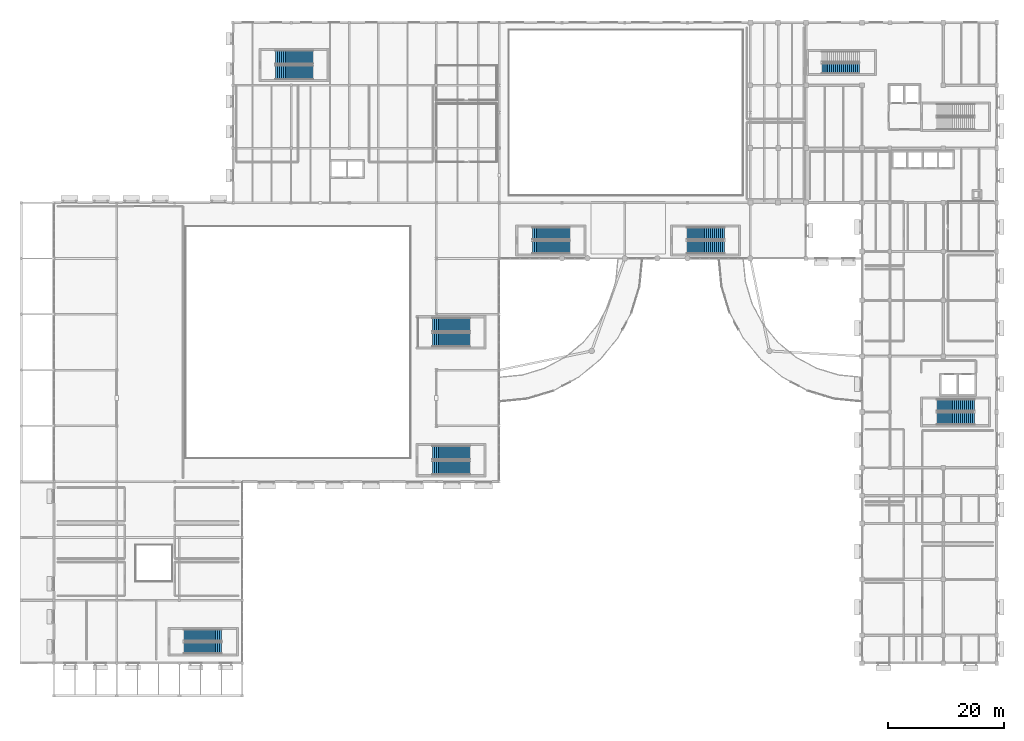
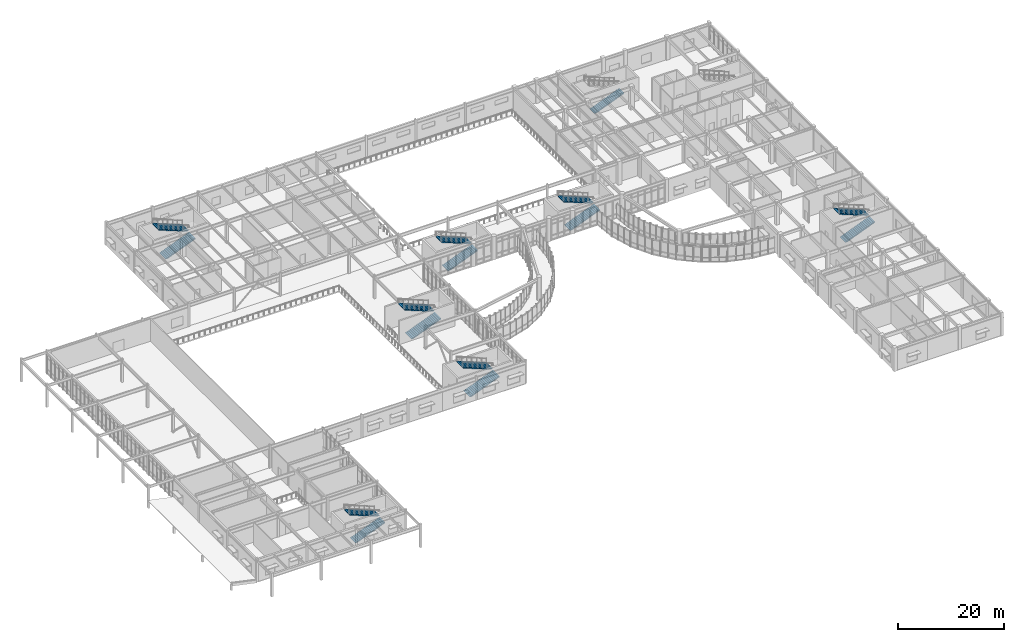
# One storey, part 56 of 72: 15 stair flights, 8 elements without a shape of their own.
"""IFC4 building model written with IfcOpenShell, lengths in metres."""

from ifc_helpers import new_model, si_unit, direction, frame, origin, place, context, subcontext, project, spatial, polyline, outline, extrude, material, type_object, element, aggregate, save


model = new_model("IFC4")

# Units and contexts
model_context = context("Model", 3, precision=1e-05, world=origin(), true_north=direction((0.0, 1.0)))
body_context = subcontext(model_context, "Body", "Model", "MODEL_VIEW")
ifc_project = project(units=[si_unit("LENGTHUNIT", "METRE"), si_unit("AREAUNIT", "SQUARE_METRE"), si_unit("VOLUMEUNIT", "CUBIC_METRE"), si_unit("PLANEANGLEUNIT", "RADIAN"), si_unit("MASSUNIT", "GRAM", prefix="KILO")], contexts=[model_context])

# Site, building, storey
site_placement = place(None, origin())
site = spatial("IfcSite", under=ifc_project, at=site_placement, CompositionType="ELEMENT")
building_placement = place(site_placement, origin())
building = spatial("IfcBuilding", under=site, at=building_placement, Name="Veldera Park Congress Hotel", CompositionType="ELEMENT")
storey_placement = place(building_placement, frame((0.0, 0.0, 5.39990234375)))
storey = spatial("IfcBuildingStorey", under=building, at=storey_placement, Name="L01", CompositionType="ELEMENT", Elevation=5.39990234375)

# Stair, stair flights
ifc_material = material(Name="Concrete f'c 40 MPa (5,800 psi)", Category="concrete")
stair_type_1 = type_object("IfcStairType", Name="ST2", PredefinedType="HALF_TURN_STAIR", material=ifc_material)
stair_1_placement = place(storey_placement, origin())
stair_1 = element("IfcStair", 1, at=stair_1_placement, inside=storey, type_object=stair_type_1, Name="L01 Protected Exit Stair ST2", PredefinedType="HALF_TURN_STAIR")
stair_flight_type_1 = type_object("IfcStairFlightType", Name="SFL-ST2", PredefinedType="STRAIGHT", material=ifc_material)
stair_flight_1_placement = place(storey_placement, frame((73.699951171875, -10.14990234375, 0.0), z_axis=(0.0, 0.0, 1.0), x_axis=(1.0, 0.0, 0.0)))
stair_flight_1 = element("IfcStairFlight", 2, at=stair_flight_1_placement, type_object=stair_flight_type_1, Name="ST2 flight 1", NumberOfRisers=20, NumberOfTreads=19, PredefinedType="STRAIGHT", RiserHeight=0.135, TreadLength=0.34, context=body_context, shape_type="SweptSolid", body=[
    extrude(outline(polyline([(0.0, 0.0), (0.0, 0.135009765625), (0.340087890625, 0.135009765625), (0.340087890625, 0.27001953125), (0.679931640625, 0.27001953125), (0.679931640625, 0.405029296875), (1.02001953125, 0.405029296875), (1.02001953125, 0.5400390625), (1.360107421875, 0.5400390625), (1.360107421875, 0.675048828125), (1.699951171875, 0.675048828125), (1.699951171875, 0.81005859375), (2.0400390625, 0.81005859375), (2.0400390625, 0.945068359375), (2.3798828125, 0.945068359375), (2.3798828125, 1.080078125), (2.719970703125, 1.080078125), (2.719970703125, 1.215087890625), (3.06005859375, 1.215087890625), (3.06005859375, 1.35009765625), (3.39990234375, 1.35009765625), (3.39990234375, 1.485107421875), (3.739990234375, 1.485107421875), (3.739990234375, 1.6201171875), (4.080078125, 1.6201171875), (4.080078125, 1.7548828125), (4.419921875, 1.7548828125), (4.419921875, 1.889892578125), (4.760009765625, 1.889892578125), (4.760009765625, 2.02490234375), (5.10009765625, 2.02490234375), (5.10009765625, 2.159912109375), (5.43994140625, 2.159912109375), (5.43994140625, 2.294921875), (5.780029296875, 2.294921875), (5.780029296875, 2.429931640625), (6.1201171875, 2.429931640625), (6.1201171875, 2.56494140625), (6.4599609375, 2.56494140625), (6.4599609375, 2.699951171875), (6.4599609375, 2.699951171875), (6.4599609375, 2.371337890625), (0.487548828125, 0.0), (0.0, 0.0)])), frame((0.0, 1.050048828125, 0.0), z_axis=(0.0, -1.0, 0.0), x_axis=(1.0, 0.0, 0.0)), (0.0, 0.0, 1.0), 2.10009765625),
])
stair_flight_2_placement = place(storey_placement, frame((80.159912109375, -7.85009765625, 2.7001953125), z_axis=(0.0, 0.0, 1.0), x_axis=(-1.0, 0.0, 0.0)))
stair_flight_2 = element("IfcStairFlight", 3, at=stair_flight_2_placement, type_object=stair_flight_type_1, Name="ST2 flight 2", NumberOfRisers=20, NumberOfTreads=19, PredefinedType="STRAIGHT", RiserHeight=0.135, TreadLength=0.34, context=body_context, shape_type="SweptSolid", body=[
    extrude(outline(polyline([(0.0, 0.0), (0.0, 0.135009765625), (0.340087890625, 0.135009765625), (0.340087890625, 0.27001953125), (0.679931640625, 0.27001953125), (0.679931640625, 0.405029296875), (1.02001953125, 0.405029296875), (1.02001953125, 0.5400390625), (1.360107421875, 0.5400390625), (1.360107421875, 0.675048828125), (1.699951171875, 0.675048828125), (1.699951171875, 0.81005859375), (2.0400390625, 0.81005859375), (2.0400390625, 0.945068359375), (2.3798828125, 0.945068359375), (2.3798828125, 1.080078125), (2.719970703125, 1.080078125), (2.719970703125, 1.215087890625), (3.06005859375, 1.215087890625), (3.06005859375, 1.35009765625), (3.39990234375, 1.35009765625), (3.39990234375, 1.485107421875), (3.739990234375, 1.485107421875), (3.739990234375, 1.6201171875), (4.080078125, 1.6201171875), (4.080078125, 1.7548828125), (4.419921875, 1.7548828125), (4.419921875, 1.889892578125), (4.760009765625, 1.889892578125), (4.760009765625, 2.02490234375), (5.10009765625, 2.02490234375), (5.10009765625, 2.159912109375), (5.43994140625, 2.159912109375), (5.43994140625, 2.294921875), (5.780029296875, 2.294921875), (5.780029296875, 2.429931640625), (6.1201171875, 2.429931640625), (6.1201171875, 2.56494140625), (6.4599609375, 2.56494140625), (6.4599609375, 2.699951171875), (6.4599609375, 2.699951171875), (6.4599609375, 2.371337890625), (0.487548828125, 0.0), (0.0, 0.0)])), frame((0.0, 1.050048828125, 0.0), z_axis=(0.0, -1.0, 0.0), x_axis=(1.0, 0.0, 0.0)), (0.0, 0.0, 1.0), 2.10009765625),
])
aggregate(stair_1, [stair_flight_1, stair_flight_2])

# Stair, stair flight
stair_type_2 = type_object("IfcStairType", Name="ST3", PredefinedType="HALF_TURN_STAIR", material=ifc_material)
stair_2_placement = place(storey_placement, origin())
stair_2 = element("IfcStair", 4, at=stair_2_placement, inside=storey, type_object=stair_type_2, Name="L01 Protected Exit Stair ST3", PredefinedType="HALF_TURN_STAIR")
stair_flight_type_2 = type_object("IfcStairFlightType", Name="SFL-ST3", PredefinedType="STRAIGHT", material=ifc_material)
stair_flight_3_placement = place(storey_placement, frame((53.89990234375, 50.10009765625, 0.0), z_axis=(0.0, 0.0, 1.0), x_axis=(1.0, 0.0, 0.0)))
stair_flight_3 = element("IfcStairFlight", 5, at=stair_flight_3_placement, type_object=stair_flight_type_2, Name="ST3 flight 1", NumberOfRisers=20, NumberOfTreads=19, PredefinedType="STRAIGHT", RiserHeight=0.135, TreadLength=0.34, context=body_context, shape_type="SweptSolid", body=[
    extrude(outline(polyline([(0.0, 0.0), (0.0, 0.135009765625), (0.340087890625, 0.135009765625), (0.340087890625, 0.27001953125), (0.679931640625, 0.27001953125), (0.679931640625, 0.405029296875), (1.02001953125, 0.405029296875), (1.02001953125, 0.5400390625), (1.360107421875, 0.5400390625), (1.360107421875, 0.675048828125), (1.699951171875, 0.675048828125), (1.699951171875, 0.81005859375), (2.0400390625, 0.81005859375), (2.0400390625, 0.945068359375), (2.3798828125, 0.945068359375), (2.3798828125, 1.080078125), (2.719970703125, 1.080078125), (2.719970703125, 1.215087890625), (3.06005859375, 1.215087890625), (3.06005859375, 1.35009765625), (3.39990234375, 1.35009765625), (3.39990234375, 1.485107421875), (3.739990234375, 1.485107421875), (3.739990234375, 1.6201171875), (4.080078125, 1.6201171875), (4.080078125, 1.7548828125), (4.419921875, 1.7548828125), (4.419921875, 1.889892578125), (4.760009765625, 1.889892578125), (4.760009765625, 2.02490234375), (5.10009765625, 2.02490234375), (5.10009765625, 2.159912109375), (5.43994140625, 2.159912109375), (5.43994140625, 2.294921875), (5.780029296875, 2.294921875), (5.780029296875, 2.429931640625), (6.1201171875, 2.429931640625), (6.1201171875, 2.56494140625), (6.4599609375, 2.56494140625), (6.4599609375, 2.699951171875), (6.4599609375, 2.699951171875), (6.4599609375, 2.371337890625), (0.487548828125, 0.0), (0.0, 0.0)])), frame((0.0, 0.89990234375, 0.0), z_axis=(0.0, -1.0, 0.0), x_axis=(1.0, 0.0, 0.0)), (0.0, 0.0, 1.0), 1.800048828125),
])
aggregate(stair_2, [stair_flight_3])

# Stair, stair flights
stair_type_3 = type_object("IfcStairType", Name="ST4", PredefinedType="HALF_TURN_STAIR", material=ifc_material)
stair_3_placement = place(storey_placement, origin())
stair_3 = element("IfcStair", 6, at=stair_3_placement, inside=storey, type_object=stair_type_3, Name="L01 Protected Exit Stair ST4", PredefinedType="HALF_TURN_STAIR")
stair_flight_type_3 = type_object("IfcStairFlightType", Name="SFL-ST4", PredefinedType="STRAIGHT", material=ifc_material)
stair_flight_4_placement = place(storey_placement, frame((-40.10009765625, 49.39990234375, 0.0), z_axis=(0.0, 0.0, 1.0), x_axis=(1.0, 0.0, 0.0)))
stair_flight_4 = element("IfcStairFlight", 7, at=stair_flight_4_placement, type_object=stair_flight_type_3, Name="ST4 flight 1", NumberOfRisers=20, NumberOfTreads=19, PredefinedType="STRAIGHT", RiserHeight=0.135, TreadLength=0.34, context=body_context, shape_type="SweptSolid", body=[
    extrude(outline(polyline([(0.0, 0.0), (0.0, 0.135009765625), (0.340087890625, 0.135009765625), (0.340087890625, 0.27001953125), (0.679931640625, 0.27001953125), (0.679931640625, 0.405029296875), (1.02001953125, 0.405029296875), (1.02001953125, 0.5400390625), (1.360107421875, 0.5400390625), (1.360107421875, 0.675048828125), (1.699951171875, 0.675048828125), (1.699951171875, 0.81005859375), (2.0400390625, 0.81005859375), (2.0400390625, 0.945068359375), (2.3798828125, 0.945068359375), (2.3798828125, 1.080078125), (2.719970703125, 1.080078125), (2.719970703125, 1.215087890625), (3.06005859375, 1.215087890625), (3.06005859375, 1.35009765625), (3.39990234375, 1.35009765625), (3.39990234375, 1.485107421875), (3.739990234375, 1.485107421875), (3.739990234375, 1.6201171875), (4.080078125, 1.6201171875), (4.080078125, 1.7548828125), (4.419921875, 1.7548828125), (4.419921875, 1.889892578125), (4.760009765625, 1.889892578125), (4.760009765625, 2.02490234375), (5.10009765625, 2.02490234375), (5.10009765625, 2.159912109375), (5.43994140625, 2.159912109375), (5.43994140625, 2.294921875), (5.780029296875, 2.294921875), (5.780029296875, 2.429931640625), (6.1201171875, 2.429931640625), (6.1201171875, 2.56494140625), (6.4599609375, 2.56494140625), (6.4599609375, 2.699951171875), (6.4599609375, 2.699951171875), (6.4599609375, 2.371337890625), (0.487548828125, 0.0), (0.0, 0.0)])), frame((0.0, 1.199951171875, 0.0), z_axis=(0.0, -1.0, 0.0), x_axis=(1.0, 0.0, 0.0)), (0.0, 0.0, 1.0), 2.39990234375),
])
stair_flight_5_placement = place(storey_placement, frame((-33.639892578125, 52.0, 2.7001953125), z_axis=(0.0, 0.0, 1.0), x_axis=(-1.0, 0.0, 0.0)))
stair_flight_5 = element("IfcStairFlight", 8, at=stair_flight_5_placement, type_object=stair_flight_type_3, Name="ST4 flight 2", NumberOfRisers=20, NumberOfTreads=19, PredefinedType="STRAIGHT", RiserHeight=0.135, TreadLength=0.34, context=body_context, shape_type="SweptSolid", body=[
    extrude(outline(polyline([(0.0, 0.0), (0.0, 0.135009765625), (0.340087890625, 0.135009765625), (0.340087890625, 0.27001953125), (0.679931640625, 0.27001953125), (0.679931640625, 0.405029296875), (1.02001953125, 0.405029296875), (1.02001953125, 0.5400390625), (1.360107421875, 0.5400390625), (1.360107421875, 0.675048828125), (1.699951171875, 0.675048828125), (1.699951171875, 0.81005859375), (2.0400390625, 0.81005859375), (2.0400390625, 0.945068359375), (2.3798828125, 0.945068359375), (2.3798828125, 1.080078125), (2.719970703125, 1.080078125), (2.719970703125, 1.215087890625), (3.06005859375, 1.215087890625), (3.06005859375, 1.35009765625), (3.39990234375, 1.35009765625), (3.39990234375, 1.485107421875), (3.739990234375, 1.485107421875), (3.739990234375, 1.6201171875), (4.080078125, 1.6201171875), (4.080078125, 1.7548828125), (4.419921875, 1.7548828125), (4.419921875, 1.889892578125), (4.760009765625, 1.889892578125), (4.760009765625, 2.02490234375), (5.10009765625, 2.02490234375), (5.10009765625, 2.159912109375), (5.43994140625, 2.159912109375), (5.43994140625, 2.294921875), (5.780029296875, 2.294921875), (5.780029296875, 2.429931640625), (6.1201171875, 2.429931640625), (6.1201171875, 2.56494140625), (6.4599609375, 2.56494140625), (6.4599609375, 2.699951171875), (6.4599609375, 2.699951171875), (6.4599609375, 2.371337890625), (0.487548828125, 0.0), (0.0, 0.0)])), frame((0.0, 1.199951171875, 0.0), z_axis=(0.0, -1.0, 0.0), x_axis=(1.0, 0.0, 0.0)), (0.0, 0.0, 1.0), 2.39990234375),
])
aggregate(stair_3, [stair_flight_4, stair_flight_5])

stair_type_4 = type_object("IfcStairType", Name="ST5", PredefinedType="HALF_TURN_STAIR", material=ifc_material)
stair_4_placement = place(storey_placement, origin())
stair_4 = element("IfcStair", 9, at=stair_4_placement, inside=storey, type_object=stair_type_4, Name="L01 Protected Exit Stair ST5", PredefinedType="HALF_TURN_STAIR")
stair_flight_type_4 = type_object("IfcStairFlightType", Name="SFL-ST5", PredefinedType="STRAIGHT", material=ifc_material)
stair_flight_6_placement = place(storey_placement, frame((-13.10009765625, -18.60009765625, 0.0), z_axis=(0.0, 0.0, 1.0), x_axis=(1.0, 0.0, 0.0)))
stair_flight_6 = element("IfcStairFlight", 10, at=stair_flight_6_placement, type_object=stair_flight_type_4, Name="ST5 flight 1", NumberOfRisers=20, NumberOfTreads=19, PredefinedType="STRAIGHT", RiserHeight=0.135, TreadLength=0.34, context=body_context, shape_type="SweptSolid", body=[
    extrude(outline(polyline([(0.0, 0.0), (0.0, 0.135009765625), (0.340087890625, 0.135009765625), (0.340087890625, 0.27001953125), (0.679931640625, 0.27001953125), (0.679931640625, 0.405029296875), (1.02001953125, 0.405029296875), (1.02001953125, 0.5400390625), (1.360107421875, 0.5400390625), (1.360107421875, 0.675048828125), (1.699951171875, 0.675048828125), (1.699951171875, 0.81005859375), (2.0400390625, 0.81005859375), (2.0400390625, 0.945068359375), (2.3798828125, 0.945068359375), (2.3798828125, 1.080078125), (2.719970703125, 1.080078125), (2.719970703125, 1.215087890625), (3.06005859375, 1.215087890625), (3.06005859375, 1.35009765625), (3.39990234375, 1.35009765625), (3.39990234375, 1.485107421875), (3.739990234375, 1.485107421875), (3.739990234375, 1.6201171875), (4.080078125, 1.6201171875), (4.080078125, 1.7548828125), (4.419921875, 1.7548828125), (4.419921875, 1.889892578125), (4.760009765625, 1.889892578125), (4.760009765625, 2.02490234375), (5.10009765625, 2.02490234375), (5.10009765625, 2.159912109375), (5.43994140625, 2.159912109375), (5.43994140625, 2.294921875), (5.780029296875, 2.294921875), (5.780029296875, 2.429931640625), (6.1201171875, 2.429931640625), (6.1201171875, 2.56494140625), (6.4599609375, 2.56494140625), (6.4599609375, 2.699951171875), (6.4599609375, 2.699951171875), (6.4599609375, 2.371337890625), (0.487548828125, 0.0), (0.0, 0.0)])), frame((0.0, 1.199951171875, 0.0), z_axis=(0.0, -1.0, 0.0), x_axis=(1.0, 0.0, 0.0)), (0.0, 0.0, 1.0), 2.39990234375),
])
stair_flight_7_placement = place(storey_placement, frame((-6.639892578125, -16.0, 2.7001953125), z_axis=(0.0, 0.0, 1.0), x_axis=(-1.0, 0.0, 0.0)))
stair_flight_7 = element("IfcStairFlight", 11, at=stair_flight_7_placement, type_object=stair_flight_type_4, Name="ST5 flight 2", NumberOfRisers=20, NumberOfTreads=19, PredefinedType="STRAIGHT", RiserHeight=0.135, TreadLength=0.34, context=body_context, shape_type="SweptSolid", body=[
    extrude(outline(polyline([(0.0, 0.0), (0.0, 0.135009765625), (0.340087890625, 0.135009765625), (0.340087890625, 0.27001953125), (0.679931640625, 0.27001953125), (0.679931640625, 0.405029296875), (1.02001953125, 0.405029296875), (1.02001953125, 0.5400390625), (1.360107421875, 0.5400390625), (1.360107421875, 0.675048828125), (1.699951171875, 0.675048828125), (1.699951171875, 0.81005859375), (2.0400390625, 0.81005859375), (2.0400390625, 0.945068359375), (2.3798828125, 0.945068359375), (2.3798828125, 1.080078125), (2.719970703125, 1.080078125), (2.719970703125, 1.215087890625), (3.06005859375, 1.215087890625), (3.06005859375, 1.35009765625), (3.39990234375, 1.35009765625), (3.39990234375, 1.485107421875), (3.739990234375, 1.485107421875), (3.739990234375, 1.6201171875), (4.080078125, 1.6201171875), (4.080078125, 1.7548828125), (4.419921875, 1.7548828125), (4.419921875, 1.889892578125), (4.760009765625, 1.889892578125), (4.760009765625, 2.02490234375), (5.10009765625, 2.02490234375), (5.10009765625, 2.159912109375), (5.43994140625, 2.159912109375), (5.43994140625, 2.294921875), (5.780029296875, 2.294921875), (5.780029296875, 2.429931640625), (6.1201171875, 2.429931640625), (6.1201171875, 2.56494140625), (6.4599609375, 2.56494140625), (6.4599609375, 2.699951171875), (6.4599609375, 2.699951171875), (6.4599609375, 2.371337890625), (0.487548828125, 0.0), (0.0, 0.0)])), frame((0.0, 1.199951171875, 0.0), z_axis=(0.0, -1.0, 0.0), x_axis=(1.0, 0.0, 0.0)), (0.0, 0.0, 1.0), 2.39990234375),
])
aggregate(stair_4, [stair_flight_6, stair_flight_7])

stair_type_5 = type_object("IfcStairType", Name="ST6", PredefinedType="HALF_TURN_STAIR", material=ifc_material)
stair_5_placement = place(storey_placement, origin())
stair_5 = element("IfcStair", 12, at=stair_5_placement, inside=storey, type_object=stair_type_5, Name="L01 Protected Exit Stair ST6", PredefinedType="HALF_TURN_STAIR")
stair_flight_type_5 = type_object("IfcStairFlightType", Name="SFL-ST6", PredefinedType="STRAIGHT", material=ifc_material)
stair_flight_8_placement = place(storey_placement, frame((4.10009765625, 19.300048828125, 0.0), z_axis=(0.0, 0.0, 1.0), x_axis=(1.0, 0.0, 0.0)))
stair_flight_8 = element("IfcStairFlight", 13, at=stair_flight_8_placement, type_object=stair_flight_type_5, Name="ST6 flight 1", NumberOfRisers=20, NumberOfTreads=19, PredefinedType="STRAIGHT", RiserHeight=0.135, TreadLength=0.34, context=body_context, shape_type="SweptSolid", body=[
    extrude(outline(polyline([(0.0, 0.0), (0.0, 0.135009765625), (0.340087890625, 0.135009765625), (0.340087890625, 0.27001953125), (0.679931640625, 0.27001953125), (0.679931640625, 0.405029296875), (1.02001953125, 0.405029296875), (1.02001953125, 0.5400390625), (1.360107421875, 0.5400390625), (1.360107421875, 0.675048828125), (1.699951171875, 0.675048828125), (1.699951171875, 0.81005859375), (2.0400390625, 0.81005859375), (2.0400390625, 0.945068359375), (2.3798828125, 0.945068359375), (2.3798828125, 1.080078125), (2.719970703125, 1.080078125), (2.719970703125, 1.215087890625), (3.06005859375, 1.215087890625), (3.06005859375, 1.35009765625), (3.39990234375, 1.35009765625), (3.39990234375, 1.485107421875), (3.739990234375, 1.485107421875), (3.739990234375, 1.6201171875), (4.080078125, 1.6201171875), (4.080078125, 1.7548828125), (4.419921875, 1.7548828125), (4.419921875, 1.889892578125), (4.760009765625, 1.889892578125), (4.760009765625, 2.02490234375), (5.10009765625, 2.02490234375), (5.10009765625, 2.159912109375), (5.43994140625, 2.159912109375), (5.43994140625, 2.294921875), (5.780029296875, 2.294921875), (5.780029296875, 2.429931640625), (6.1201171875, 2.429931640625), (6.1201171875, 2.56494140625), (6.4599609375, 2.56494140625), (6.4599609375, 2.699951171875), (6.4599609375, 2.699951171875), (6.4599609375, 2.371337890625), (0.487548828125, 0.0), (0.0, 0.0)])), frame((0.0, 1.10009765625, 0.0), z_axis=(0.0, -1.0, 0.0), x_axis=(1.0, 0.0, 0.0)), (0.0, 0.0, 1.0), 2.199951171875),
])
stair_flight_9_placement = place(storey_placement, frame((10.56005859375, 21.699951171875, 2.7001953125), z_axis=(0.0, 0.0, 1.0), x_axis=(-1.0, 0.0, 0.0)))
stair_flight_9 = element("IfcStairFlight", 14, at=stair_flight_9_placement, type_object=stair_flight_type_5, Name="ST6 flight 2", NumberOfRisers=20, NumberOfTreads=19, PredefinedType="STRAIGHT", RiserHeight=0.135, TreadLength=0.34, context=body_context, shape_type="SweptSolid", body=[
    extrude(outline(polyline([(0.0, 0.0), (0.0, 0.135009765625), (0.340087890625, 0.135009765625), (0.340087890625, 0.27001953125), (0.679931640625, 0.27001953125), (0.679931640625, 0.405029296875), (1.02001953125, 0.405029296875), (1.02001953125, 0.5400390625), (1.360107421875, 0.5400390625), (1.360107421875, 0.675048828125), (1.699951171875, 0.675048828125), (1.699951171875, 0.81005859375), (2.0400390625, 0.81005859375), (2.0400390625, 0.945068359375), (2.3798828125, 0.945068359375), (2.3798828125, 1.080078125), (2.719970703125, 1.080078125), (2.719970703125, 1.215087890625), (3.06005859375, 1.215087890625), (3.06005859375, 1.35009765625), (3.39990234375, 1.35009765625), (3.39990234375, 1.485107421875), (3.739990234375, 1.485107421875), (3.739990234375, 1.6201171875), (4.080078125, 1.6201171875), (4.080078125, 1.7548828125), (4.419921875, 1.7548828125), (4.419921875, 1.889892578125), (4.760009765625, 1.889892578125), (4.760009765625, 2.02490234375), (5.10009765625, 2.02490234375), (5.10009765625, 2.159912109375), (5.43994140625, 2.159912109375), (5.43994140625, 2.294921875), (5.780029296875, 2.294921875), (5.780029296875, 2.429931640625), (6.1201171875, 2.429931640625), (6.1201171875, 2.56494140625), (6.4599609375, 2.56494140625), (6.4599609375, 2.699951171875), (6.4599609375, 2.699951171875), (6.4599609375, 2.371337890625), (0.487548828125, 0.0), (0.0, 0.0)])), frame((0.0, 1.10009765625, 0.0), z_axis=(0.0, -1.0, 0.0), x_axis=(1.0, 0.0, 0.0)), (0.0, 0.0, 1.0), 2.199951171875),
])
aggregate(stair_5, [stair_flight_8, stair_flight_9])

stair_type_6 = type_object("IfcStairType", Name="ST7", PredefinedType="HALF_TURN_STAIR", material=ifc_material)
stair_6_placement = place(storey_placement, origin())
stair_6 = element("IfcStair", 15, at=stair_6_placement, inside=storey, type_object=stair_type_6, Name="L01 Protected Exit Stair ST7", PredefinedType="HALF_TURN_STAIR")
stair_flight_type_6 = type_object("IfcStairFlightType", Name="SFL-ST7", PredefinedType="STRAIGHT", material=ifc_material)
stair_flight_10_placement = place(storey_placement, frame((30.699951171875, 19.300048828125, 0.0), z_axis=(0.0, 0.0, 1.0), x_axis=(1.0, 0.0, 0.0)))
stair_flight_10 = element("IfcStairFlight", 16, at=stair_flight_10_placement, type_object=stair_flight_type_6, Name="ST7 flight 1", NumberOfRisers=20, NumberOfTreads=19, PredefinedType="STRAIGHT", RiserHeight=0.135, TreadLength=0.34, context=body_context, shape_type="SweptSolid", body=[
    extrude(outline(polyline([(0.0, 0.0), (0.0, 0.135009765625), (0.340087890625, 0.135009765625), (0.340087890625, 0.27001953125), (0.679931640625, 0.27001953125), (0.679931640625, 0.405029296875), (1.02001953125, 0.405029296875), (1.02001953125, 0.5400390625), (1.360107421875, 0.5400390625), (1.360107421875, 0.675048828125), (1.699951171875, 0.675048828125), (1.699951171875, 0.81005859375), (2.0400390625, 0.81005859375), (2.0400390625, 0.945068359375), (2.3798828125, 0.945068359375), (2.3798828125, 1.080078125), (2.719970703125, 1.080078125), (2.719970703125, 1.215087890625), (3.06005859375, 1.215087890625), (3.06005859375, 1.35009765625), (3.39990234375, 1.35009765625), (3.39990234375, 1.485107421875), (3.739990234375, 1.485107421875), (3.739990234375, 1.6201171875), (4.080078125, 1.6201171875), (4.080078125, 1.7548828125), (4.419921875, 1.7548828125), (4.419921875, 1.889892578125), (4.760009765625, 1.889892578125), (4.760009765625, 2.02490234375), (5.10009765625, 2.02490234375), (5.10009765625, 2.159912109375), (5.43994140625, 2.159912109375), (5.43994140625, 2.294921875), (5.780029296875, 2.294921875), (5.780029296875, 2.429931640625), (6.1201171875, 2.429931640625), (6.1201171875, 2.56494140625), (6.4599609375, 2.56494140625), (6.4599609375, 2.699951171875), (6.4599609375, 2.699951171875), (6.4599609375, 2.371337890625), (0.487548828125, 0.0), (0.0, 0.0)])), frame((0.0, 1.10009765625, 0.0), z_axis=(0.0, -1.0, 0.0), x_axis=(1.0, 0.0, 0.0)), (0.0, 0.0, 1.0), 2.199951171875),
])
stair_flight_11_placement = place(storey_placement, frame((37.159912109375, 21.699951171875, 2.7001953125), z_axis=(0.0, 0.0, 1.0), x_axis=(-1.0, 0.0, 0.0)))
stair_flight_11 = element("IfcStairFlight", 17, at=stair_flight_11_placement, type_object=stair_flight_type_6, Name="ST7 flight 2", NumberOfRisers=20, NumberOfTreads=19, PredefinedType="STRAIGHT", RiserHeight=0.135, TreadLength=0.34, context=body_context, shape_type="SweptSolid", body=[
    extrude(outline(polyline([(0.0, 0.0), (0.0, 0.135009765625), (0.340087890625, 0.135009765625), (0.340087890625, 0.27001953125), (0.679931640625, 0.27001953125), (0.679931640625, 0.405029296875), (1.02001953125, 0.405029296875), (1.02001953125, 0.5400390625), (1.360107421875, 0.5400390625), (1.360107421875, 0.675048828125), (1.699951171875, 0.675048828125), (1.699951171875, 0.81005859375), (2.0400390625, 0.81005859375), (2.0400390625, 0.945068359375), (2.3798828125, 0.945068359375), (2.3798828125, 1.080078125), (2.719970703125, 1.080078125), (2.719970703125, 1.215087890625), (3.06005859375, 1.215087890625), (3.06005859375, 1.35009765625), (3.39990234375, 1.35009765625), (3.39990234375, 1.485107421875), (3.739990234375, 1.485107421875), (3.739990234375, 1.6201171875), (4.080078125, 1.6201171875), (4.080078125, 1.7548828125), (4.419921875, 1.7548828125), (4.419921875, 1.889892578125), (4.760009765625, 1.889892578125), (4.760009765625, 2.02490234375), (5.10009765625, 2.02490234375), (5.10009765625, 2.159912109375), (5.43994140625, 2.159912109375), (5.43994140625, 2.294921875), (5.780029296875, 2.294921875), (5.780029296875, 2.429931640625), (6.1201171875, 2.429931640625), (6.1201171875, 2.56494140625), (6.4599609375, 2.56494140625), (6.4599609375, 2.699951171875), (6.4599609375, 2.699951171875), (6.4599609375, 2.371337890625), (0.487548828125, 0.0), (0.0, 0.0)])), frame((0.0, 1.10009765625, 0.0), z_axis=(0.0, -1.0, 0.0), x_axis=(1.0, 0.0, 0.0)), (0.0, 0.0, 1.0), 2.199951171875),
])
aggregate(stair_6, [stair_flight_10, stair_flight_11])

stair_type_7 = type_object("IfcStairType", Name="ST8", PredefinedType="HALF_TURN_STAIR", material=ifc_material)
stair_7_placement = place(storey_placement, origin())
stair_7 = element("IfcStair", 18, at=stair_7_placement, inside=storey, type_object=stair_type_7, Name="L01 Protected Exit Stair ST8", PredefinedType="HALF_TURN_STAIR")
stair_flight_type_7 = type_object("IfcStairFlightType", Name="SFL-ST8", PredefinedType="STRAIGHT", material=ifc_material)
stair_flight_12_placement = place(storey_placement, frame((-55.800048828125, -49.60009765625, 0.0), z_axis=(0.0, 0.0, 1.0), x_axis=(1.0, 0.0, 0.0)))
stair_flight_12 = element("IfcStairFlight", 19, at=stair_flight_12_placement, type_object=stair_flight_type_7, Name="ST8 flight 1", NumberOfRisers=20, NumberOfTreads=19, PredefinedType="STRAIGHT", RiserHeight=0.135, TreadLength=0.34, context=body_context, shape_type="SweptSolid", body=[
    extrude(outline(polyline([(0.0, 0.0), (0.0, 0.135009765625), (0.340087890625, 0.135009765625), (0.340087890625, 0.27001953125), (0.679931640625, 0.27001953125), (0.679931640625, 0.405029296875), (1.02001953125, 0.405029296875), (1.02001953125, 0.5400390625), (1.360107421875, 0.5400390625), (1.360107421875, 0.675048828125), (1.699951171875, 0.675048828125), (1.699951171875, 0.81005859375), (2.0400390625, 0.81005859375), (2.0400390625, 0.945068359375), (2.3798828125, 0.945068359375), (2.3798828125, 1.080078125), (2.719970703125, 1.080078125), (2.719970703125, 1.215087890625), (3.06005859375, 1.215087890625), (3.06005859375, 1.35009765625), (3.39990234375, 1.35009765625), (3.39990234375, 1.485107421875), (3.739990234375, 1.485107421875), (3.739990234375, 1.6201171875), (4.080078125, 1.6201171875), (4.080078125, 1.7548828125), (4.419921875, 1.7548828125), (4.419921875, 1.889892578125), (4.760009765625, 1.889892578125), (4.760009765625, 2.02490234375), (5.10009765625, 2.02490234375), (5.10009765625, 2.159912109375), (5.43994140625, 2.159912109375), (5.43994140625, 2.294921875), (5.780029296875, 2.294921875), (5.780029296875, 2.429931640625), (6.1201171875, 2.429931640625), (6.1201171875, 2.56494140625), (6.4599609375, 2.56494140625), (6.4599609375, 2.699951171875), (6.4599609375, 2.699951171875), (6.4599609375, 2.371337890625), (0.487548828125, 0.0), (0.0, 0.0)])), frame((0.0, 1.0, 0.0), z_axis=(0.0, -1.0, 0.0), x_axis=(1.0, 0.0, 0.0)), (0.0, 0.0, 1.0), 2.0),
])
stair_flight_13_placement = place(storey_placement, frame((-49.340087890625, -47.39990234375, 2.7001953125), z_axis=(0.0, 0.0, 1.0), x_axis=(-1.0, 0.0, 0.0)))
stair_flight_13 = element("IfcStairFlight", 20, at=stair_flight_13_placement, type_object=stair_flight_type_7, Name="ST8 flight 2", NumberOfRisers=20, NumberOfTreads=19, PredefinedType="STRAIGHT", RiserHeight=0.135, TreadLength=0.34, context=body_context, shape_type="SweptSolid", body=[
    extrude(outline(polyline([(0.0, 0.0), (0.0, 0.135009765625), (0.340087890625, 0.135009765625), (0.340087890625, 0.27001953125), (0.679931640625, 0.27001953125), (0.679931640625, 0.405029296875), (1.02001953125, 0.405029296875), (1.02001953125, 0.5400390625), (1.360107421875, 0.5400390625), (1.360107421875, 0.675048828125), (1.699951171875, 0.675048828125), (1.699951171875, 0.81005859375), (2.0400390625, 0.81005859375), (2.0400390625, 0.945068359375), (2.3798828125, 0.945068359375), (2.3798828125, 1.080078125), (2.719970703125, 1.080078125), (2.719970703125, 1.215087890625), (3.06005859375, 1.215087890625), (3.06005859375, 1.35009765625), (3.39990234375, 1.35009765625), (3.39990234375, 1.485107421875), (3.739990234375, 1.485107421875), (3.739990234375, 1.6201171875), (4.080078125, 1.6201171875), (4.080078125, 1.7548828125), (4.419921875, 1.7548828125), (4.419921875, 1.889892578125), (4.760009765625, 1.889892578125), (4.760009765625, 2.02490234375), (5.10009765625, 2.02490234375), (5.10009765625, 2.159912109375), (5.43994140625, 2.159912109375), (5.43994140625, 2.294921875), (5.780029296875, 2.294921875), (5.780029296875, 2.429931640625), (6.1201171875, 2.429931640625), (6.1201171875, 2.56494140625), (6.4599609375, 2.56494140625), (6.4599609375, 2.699951171875), (6.4599609375, 2.699951171875), (6.4599609375, 2.371337890625), (0.487548828125, 0.0), (0.0, 0.0)])), frame((0.0, 1.0, 0.0), z_axis=(0.0, -1.0, 0.0), x_axis=(1.0, 0.0, 0.0)), (0.0, 0.0, 1.0), 2.0),
])
aggregate(stair_7, [stair_flight_12, stair_flight_13])

stair_type_8 = type_object("IfcStairType", Name="ST9", PredefinedType="HALF_TURN_STAIR", material=ifc_material)
stair_8_placement = place(storey_placement, origin())
stair_8 = element("IfcStair", 21, at=stair_8_placement, inside=storey, type_object=stair_type_8, Name="L01 Monumental Foyer Stair ST9", PredefinedType="HALF_TURN_STAIR")
stair_flight_type_8 = type_object("IfcStairFlightType", Name="SFL-ST9", PredefinedType="STRAIGHT", material=ifc_material)
stair_flight_14_placement = place(storey_placement, frame((-13.10009765625, 3.39990234375, 0.0), z_axis=(0.0, 0.0, 1.0), x_axis=(1.0, 0.0, 0.0)))
stair_flight_14 = element("IfcStairFlight", 22, at=stair_flight_14_placement, type_object=stair_flight_type_8, Name="ST9 flight 1", NumberOfRisers=20, NumberOfTreads=19, PredefinedType="STRAIGHT", RiserHeight=0.135, TreadLength=0.34, context=body_context, shape_type="SweptSolid", body=[
    extrude(outline(polyline([(0.0, 0.0), (0.0, 0.135009765625), (0.340087890625, 0.135009765625), (0.340087890625, 0.27001953125), (0.679931640625, 0.27001953125), (0.679931640625, 0.405029296875), (1.02001953125, 0.405029296875), (1.02001953125, 0.5400390625), (1.360107421875, 0.5400390625), (1.360107421875, 0.675048828125), (1.699951171875, 0.675048828125), (1.699951171875, 0.81005859375), (2.0400390625, 0.81005859375), (2.0400390625, 0.945068359375), (2.3798828125, 0.945068359375), (2.3798828125, 1.080078125), (2.719970703125, 1.080078125), (2.719970703125, 1.215087890625), (3.06005859375, 1.215087890625), (3.06005859375, 1.35009765625), (3.39990234375, 1.35009765625), (3.39990234375, 1.485107421875), (3.739990234375, 1.485107421875), (3.739990234375, 1.6201171875), (4.080078125, 1.6201171875), (4.080078125, 1.7548828125), (4.419921875, 1.7548828125), (4.419921875, 1.889892578125), (4.760009765625, 1.889892578125), (4.760009765625, 2.02490234375), (5.10009765625, 2.02490234375), (5.10009765625, 2.159912109375), (5.43994140625, 2.159912109375), (5.43994140625, 2.294921875), (5.780029296875, 2.294921875), (5.780029296875, 2.429931640625), (6.1201171875, 2.429931640625), (6.1201171875, 2.56494140625), (6.4599609375, 2.56494140625), (6.4599609375, 2.699951171875), (6.4599609375, 2.699951171875), (6.4599609375, 2.371337890625), (0.487548828125, 0.0), (0.0, 0.0)])), frame((0.0, 1.199951171875, 0.0), z_axis=(0.0, -1.0, 0.0), x_axis=(1.0, 0.0, 0.0)), (0.0, 0.0, 1.0), 2.39990234375),
])
stair_flight_15_placement = place(storey_placement, frame((-6.639892578125, 6.0, 2.7001953125), z_axis=(0.0, 0.0, 1.0), x_axis=(-1.0, 0.0, 0.0)))
stair_flight_15 = element("IfcStairFlight", 23, at=stair_flight_15_placement, type_object=stair_flight_type_8, Name="ST9 flight 2", NumberOfRisers=20, NumberOfTreads=19, PredefinedType="STRAIGHT", RiserHeight=0.135, TreadLength=0.34, context=body_context, shape_type="SweptSolid", body=[
    extrude(outline(polyline([(0.0, 0.0), (0.0, 0.135009765625), (0.340087890625, 0.135009765625), (0.340087890625, 0.27001953125), (0.679931640625, 0.27001953125), (0.679931640625, 0.405029296875), (1.02001953125, 0.405029296875), (1.02001953125, 0.5400390625), (1.360107421875, 0.5400390625), (1.360107421875, 0.675048828125), (1.699951171875, 0.675048828125), (1.699951171875, 0.81005859375), (2.0400390625, 0.81005859375), (2.0400390625, 0.945068359375), (2.3798828125, 0.945068359375), (2.3798828125, 1.080078125), (2.719970703125, 1.080078125), (2.719970703125, 1.215087890625), (3.06005859375, 1.215087890625), (3.06005859375, 1.35009765625), (3.39990234375, 1.35009765625), (3.39990234375, 1.485107421875), (3.739990234375, 1.485107421875), (3.739990234375, 1.6201171875), (4.080078125, 1.6201171875), (4.080078125, 1.7548828125), (4.419921875, 1.7548828125), (4.419921875, 1.889892578125), (4.760009765625, 1.889892578125), (4.760009765625, 2.02490234375), (5.10009765625, 2.02490234375), (5.10009765625, 2.159912109375), (5.43994140625, 2.159912109375), (5.43994140625, 2.294921875), (5.780029296875, 2.294921875), (5.780029296875, 2.429931640625), (6.1201171875, 2.429931640625), (6.1201171875, 2.56494140625), (6.4599609375, 2.56494140625), (6.4599609375, 2.699951171875), (6.4599609375, 2.699951171875), (6.4599609375, 2.371337890625), (0.487548828125, 0.0), (0.0, 0.0)])), frame((0.0, 1.199951171875, 0.0), z_axis=(0.0, -1.0, 0.0), x_axis=(1.0, 0.0, 0.0)), (0.0, 0.0, 1.0), 2.39990234375),
])
aggregate(stair_8, [stair_flight_14, stair_flight_15])

save(model, "model.ifc")
